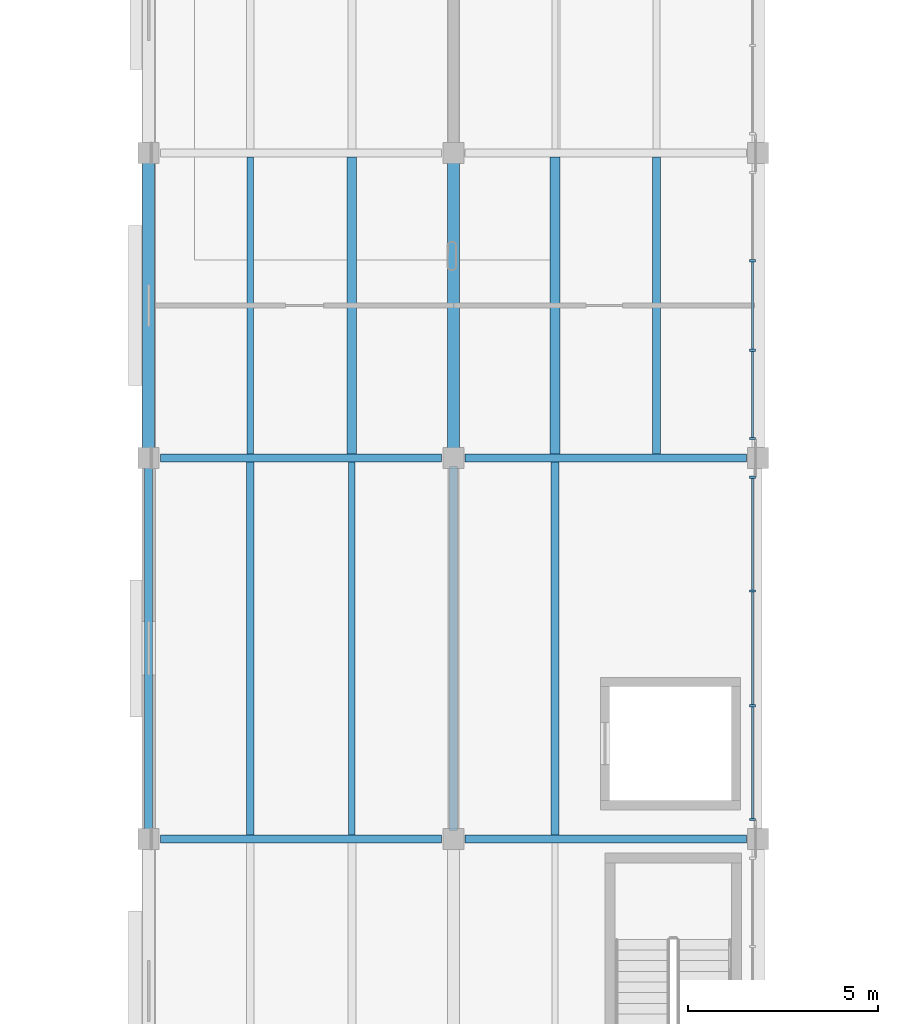
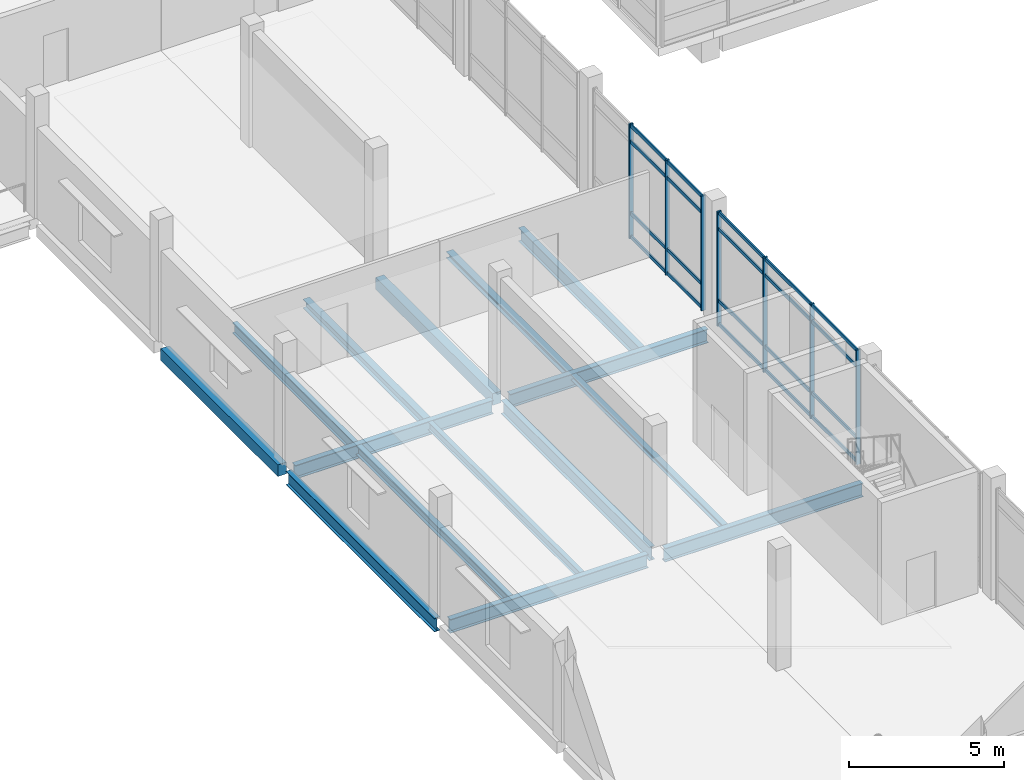
# One storey, part 9 of 47: 27 members, 15 beams, 2 elements without a shape of their own.
"""IFC4 building model written with IfcOpenShell, lengths in metres."""

from ifc_helpers import new_model, si_unit, direction, frame, origin, origin_2d, place, context, subcontext, project, spatial, rectangle, i_section, extrude, material, material_profile, profile_set, type_object, element, aggregate, save


model = new_model("IFC4")

# Units and contexts
model_context = context("Model", 3, precision=1e-05, world=origin(), true_north=direction((0.0, 1.0)))
body_context = subcontext(model_context, "Body", "Model", "MODEL_VIEW")
ifc_project = project(units=[si_unit("LENGTHUNIT", "METRE"), si_unit("AREAUNIT", "SQUARE_METRE"), si_unit("VOLUMEUNIT", "CUBIC_METRE"), si_unit("PLANEANGLEUNIT", "RADIAN"), si_unit("MASSUNIT", "GRAM", prefix="KILO")], contexts=[model_context])

# Site, building, storey
site_placement = place(None, origin())
site = spatial("IfcSite", under=ifc_project, at=site_placement, CompositionType="ELEMENT")
building_placement = place(site_placement, origin())
building = spatial("IfcBuilding", under=site, at=building_placement, Name="Pecanmere Concourse Central Library", CompositionType="ELEMENT")
storey_placement = place(building_placement, frame((0.0, 0.0, 15.300048828125)))
storey = spatial("IfcBuildingStorey", under=building, at=storey_placement, Name="L04", CompositionType="ELEMENT", Elevation=15.300048828125)

# Beams
ifc_material_1 = material(Name="Concrete C40/50", Category="concrete")
ifc_material_profile_1 = material_profile(ifc_material_1, rectangle(XDim=0.320068359375, YDim=0.4599609375, at=origin_2d()), Name="RC 320x460")
ifc_profile_set_1 = profile_set([ifc_material_profile_1], Name="Concrete C40/50")
beam_type_1 = type_object("IfcBeamType", Name="BM_320x460", PredefinedType="BEAM", material=ifc_profile_set_1)
for number, where, z_axis, x_axis, name in (
    (1, (48.0, 74.219970703125, -0.550048828125), (0.0, 1.0, 0.0), (-1.0, 0.0, 0.0), "Primary Girder Y L04-2253"),
    (2, (56.0, 74.219970703125, -0.550048828125), (0.0, 1.0, 0.0), (-1.0, 0.0, 0.0), "Primary Girder Y L04-2260"),
):
    element("IfcBeam", number, at=place(storey_placement, frame(where, z_axis=z_axis, x_axis=x_axis)), inside=storey, type_object=beam_type_1, Name=name, PredefinedType="BEAM", context=body_context, shape_type="SweptSolid", body=[
        extrude(rectangle(XDim=0.320068359375, YDim=0.4599609375, at=origin_2d()), origin(), (0.0, 0.0, 1.0), 7.56005859375),
    ])

# Curtain wall, members
ifc_material_2 = material(Name="Clear anodized aluminium alloy 6063-T6", Category="aluminium")
curtain_wall_type = type_object("IfcCurtainWallType", Name="CW_CLOISTER_GLAZ", PredefinedType="USERDEFINED", material=ifc_material_2)
curtain_wall_1_placement = place(storey_placement, origin())
curtain_wall_1 = element("IfcCurtainWall", 3, at=curtain_wall_1_placement, inside=storey, type_object=curtain_wall_type, Name="Unitised Curtain Wall CW-04 L04-144", ObjectType="UNITISED CURTAIN WALL", PredefinedType="USERDEFINED")
ifc_material_3 = material(Name="Clear anodized aluminium alloy 6063-T6", Category="aluminium")
ifc_material_profile_2 = material_profile(ifc_material_3, rectangle(XDim=0.06005859375, YDim=0.14990234375, at=origin_2d()), Name="AL 60x150")
ifc_profile_set_2 = profile_set([ifc_material_profile_2], Name="Clear anodized aluminium alloy 6063-T6")
member_type_1 = type_object("IfcMemberType", Name="CWM_150x60", PredefinedType="MULLION", material=ifc_profile_set_2)
member_1_placement = place(storey_placement, frame((63.85009765625, 64.510009765625, 0.0), z_axis=(0.0, 0.0, 1.0), x_axis=(0.0, 1.0, 0.0)))
member_1 = element("IfcMember", 4, at=member_1_placement, type_object=member_type_1, Name="CW-04 Mullion 1", PredefinedType="MULLION", context=body_context, shape_type="SweptSolid", body=[
    extrude(rectangle(XDim=0.06005859375, YDim=0.14990234375, at=origin_2d()), origin(), (0.0, 0.0, 1.0), 4.52001953125),
])
member_2_placement = place(storey_placement, frame((63.85009765625, 67.493408203125, 0.0), z_axis=(0.0, 0.0, 1.0), x_axis=(0.0, 1.0, 0.0)))
member_2 = element("IfcMember", 5, at=member_2_placement, type_object=member_type_1, Name="CW-04 Mullion 2", PredefinedType="MULLION", context=body_context, shape_type="SweptSolid", body=[
    extrude(rectangle(XDim=0.06005859375, YDim=0.14990234375, at=origin_2d()), origin(), (0.0, 0.0, 1.0), 4.52001953125),
])
member_3_placement = place(storey_placement, frame((63.85009765625, 70.506591796875, 0.0), z_axis=(0.0, 0.0, 1.0), x_axis=(0.0, 1.0, 0.0)))
member_3 = element("IfcMember", 6, at=member_3_placement, type_object=member_type_1, Name="CW-04 Mullion 3", PredefinedType="MULLION", context=body_context, shape_type="SweptSolid", body=[
    extrude(rectangle(XDim=0.06005859375, YDim=0.14990234375, at=origin_2d()), origin(), (0.0, 0.0, 1.0), 4.52001953125),
])
member_4_placement = place(storey_placement, frame((63.85009765625, 73.489990234375, 0.0), z_axis=(0.0, 0.0, 1.0), x_axis=(0.0, 1.0, 0.0)))
member_4 = element("IfcMember", 7, at=member_4_placement, type_object=member_type_1, Name="CW-04 Mullion 4", PredefinedType="MULLION", context=body_context, shape_type="SweptSolid", body=[
    extrude(rectangle(XDim=0.06005859375, YDim=0.14990234375, at=origin_2d()), origin(), (0.0, 0.0, 1.0), 4.52001953125),
])

curtain_wall_2_placement = place(storey_placement, origin())
curtain_wall_2 = element("IfcCurtainWall", 8, at=curtain_wall_2_placement, inside=storey, type_object=curtain_wall_type, Name="Unitised Curtain Wall CW-04 L04-146", ObjectType="UNITISED CURTAIN WALL", PredefinedType="USERDEFINED")
member_5_placement = place(storey_placement, frame((63.85009765625, 74.510009765625, 0.0), z_axis=(0.0, 0.0, 1.0), x_axis=(0.0, 1.0, 0.0)))
member_5 = element("IfcMember", 9, at=member_5_placement, type_object=member_type_1, Name="CW-04 Mullion 1", PredefinedType="MULLION", context=body_context, shape_type="SweptSolid", body=[
    extrude(rectangle(XDim=0.06005859375, YDim=0.14990234375, at=origin_2d()), origin(), (0.0, 0.0, 1.0), 4.52001953125),
])
member_6_placement = place(storey_placement, frame((63.85009765625, 76.82666015625, 0.0), z_axis=(0.0, 0.0, 1.0), x_axis=(0.0, 1.0, 0.0)))
member_6 = element("IfcMember", 10, at=member_6_placement, type_object=member_type_1, Name="CW-04 Mullion 2", PredefinedType="MULLION", context=body_context, shape_type="SweptSolid", body=[
    extrude(rectangle(XDim=0.06005859375, YDim=0.14990234375, at=origin_2d()), origin(), (0.0, 0.0, 1.0), 4.52001953125),
])
member_7_placement = place(storey_placement, frame((63.85009765625, 79.17333984375, 0.0), z_axis=(0.0, 0.0, 1.0), x_axis=(0.0, 1.0, 0.0)))
member_7 = element("IfcMember", 11, at=member_7_placement, type_object=member_type_1, Name="CW-04 Mullion 3", PredefinedType="MULLION", context=body_context, shape_type="SweptSolid", body=[
    extrude(rectangle(XDim=0.06005859375, YDim=0.14990234375, at=origin_2d()), origin(), (0.0, 0.0, 1.0), 4.52001953125),
])

# Member
ifc_material_4 = material(Name="Clear anodized aluminium alloy 6063-T6", Category="aluminium")
ifc_material_profile_3 = material_profile(ifc_material_4, rectangle(XDim=0.054931640625, YDim=0.139892578125, at=origin_2d()), Name="AL 55x140")
ifc_profile_set_3 = profile_set([ifc_material_profile_3], Name="Clear anodized aluminium alloy 6063-T6")
member_type_2 = type_object("IfcMemberType", Name="CWT_140x55", PredefinedType="USERDEFINED", material=ifc_profile_set_3)
member_8_placement = place(storey_placement, frame((63.85009765625, 64.5400390625, 0.070068359375), z_axis=(0.0, 1.0, 0.0), x_axis=(-1.0, 0.0, 0.0)))
member_8 = element("IfcMember", 12, at=member_8_placement, type_object=member_type_2, Name="CW-04 Transom 1.1", ObjectType="TRANSOM", PredefinedType="USERDEFINED", context=body_context, shape_type="SweptSolid", body=[
    extrude(rectangle(XDim=0.054931640625, YDim=0.139892578125, at=origin_2d()), origin(), (0.0, 0.0, 1.0), 2.92333984375),
])

member_9_placement = place(storey_placement, frame((63.85009765625, 64.5400390625, 1.0), z_axis=(0.0, 1.0, 0.0), x_axis=(-1.0, 0.0, 0.0)))
member_9 = element("IfcMember", 13, at=member_9_placement, type_object=member_type_2, Name="CW-04 Transom 1.2", ObjectType="TRANSOM", PredefinedType="USERDEFINED", context=body_context, shape_type="SweptSolid", body=[
    extrude(rectangle(XDim=0.054931640625, YDim=0.139892578125, at=origin_2d()), origin(), (0.0, 0.0, 1.0), 2.92333984375),
])

member_10_placement = place(storey_placement, frame((63.85009765625, 64.5400390625, 3.820068359375), z_axis=(0.0, 1.0, 0.0), x_axis=(-1.0, 0.0, 0.0)))
member_10 = element("IfcMember", 14, at=member_10_placement, type_object=member_type_2, Name="CW-04 Transom 1.3", ObjectType="TRANSOM", PredefinedType="USERDEFINED", context=body_context, shape_type="SweptSolid", body=[
    extrude(rectangle(XDim=0.054931640625, YDim=0.139892578125, at=origin_2d()), origin(), (0.0, 0.0, 1.0), 2.92333984375),
])

member_11_placement = place(storey_placement, frame((63.85009765625, 64.5400390625, 4.449951171875), z_axis=(0.0, 1.0, 0.0), x_axis=(-1.0, 0.0, 0.0)))
member_11 = element("IfcMember", 15, at=member_11_placement, type_object=member_type_2, Name="CW-04 Transom 1.4", ObjectType="TRANSOM", PredefinedType="USERDEFINED", context=body_context, shape_type="SweptSolid", body=[
    extrude(rectangle(XDim=0.054931640625, YDim=0.139892578125, at=origin_2d()), origin(), (0.0, 0.0, 1.0), 2.92333984375),
])

member_12_placement = place(storey_placement, frame((63.85009765625, 67.5234375, 0.070068359375), z_axis=(0.0, 1.0, 0.0), x_axis=(-1.0, 0.0, 0.0)))
member_12 = element("IfcMember", 16, at=member_12_placement, type_object=member_type_2, Name="CW-04 Transom 2.1", ObjectType="TRANSOM", PredefinedType="USERDEFINED", context=body_context, shape_type="SweptSolid", body=[
    extrude(rectangle(XDim=0.054931640625, YDim=0.139892578125, at=origin_2d()), origin(), (0.0, 0.0, 1.0), 2.953125),
])

member_13_placement = place(storey_placement, frame((63.85009765625, 67.5234375, 1.0), z_axis=(0.0, 1.0, 0.0), x_axis=(-1.0, 0.0, 0.0)))
member_13 = element("IfcMember", 17, at=member_13_placement, type_object=member_type_2, Name="CW-04 Transom 2.2", ObjectType="TRANSOM", PredefinedType="USERDEFINED", context=body_context, shape_type="SweptSolid", body=[
    extrude(rectangle(XDim=0.054931640625, YDim=0.139892578125, at=origin_2d()), origin(), (0.0, 0.0, 1.0), 2.953125),
])

member_14_placement = place(storey_placement, frame((63.85009765625, 67.5234375, 3.820068359375), z_axis=(0.0, 1.0, 0.0), x_axis=(-1.0, 0.0, 0.0)))
member_14 = element("IfcMember", 18, at=member_14_placement, type_object=member_type_2, Name="CW-04 Transom 2.3", ObjectType="TRANSOM", PredefinedType="USERDEFINED", context=body_context, shape_type="SweptSolid", body=[
    extrude(rectangle(XDim=0.054931640625, YDim=0.139892578125, at=origin_2d()), origin(), (0.0, 0.0, 1.0), 2.953125),
])

member_15_placement = place(storey_placement, frame((63.85009765625, 67.5234375, 4.449951171875), z_axis=(0.0, 1.0, 0.0), x_axis=(-1.0, 0.0, 0.0)))
member_15 = element("IfcMember", 19, at=member_15_placement, type_object=member_type_2, Name="CW-04 Transom 2.4", ObjectType="TRANSOM", PredefinedType="USERDEFINED", context=body_context, shape_type="SweptSolid", body=[
    extrude(rectangle(XDim=0.054931640625, YDim=0.139892578125, at=origin_2d()), origin(), (0.0, 0.0, 1.0), 2.953125),
])

member_16_placement = place(storey_placement, frame((63.85009765625, 70.53662109375, 0.070068359375), z_axis=(0.0, 1.0, 0.0), x_axis=(-1.0, 0.0, 0.0)))
member_16 = element("IfcMember", 20, at=member_16_placement, type_object=member_type_2, Name="CW-04 Transom 3.1", ObjectType="TRANSOM", PredefinedType="USERDEFINED", context=body_context, shape_type="SweptSolid", body=[
    extrude(rectangle(XDim=0.054931640625, YDim=0.139892578125, at=origin_2d()), origin(), (0.0, 0.0, 1.0), 2.92333984375),
])

member_17_placement = place(storey_placement, frame((63.85009765625, 70.53662109375, 1.0), z_axis=(0.0, 1.0, 0.0), x_axis=(-1.0, 0.0, 0.0)))
member_17 = element("IfcMember", 21, at=member_17_placement, type_object=member_type_2, Name="CW-04 Transom 3.2", ObjectType="TRANSOM", PredefinedType="USERDEFINED", context=body_context, shape_type="SweptSolid", body=[
    extrude(rectangle(XDim=0.054931640625, YDim=0.139892578125, at=origin_2d()), origin(), (0.0, 0.0, 1.0), 2.92333984375),
])

member_18_placement = place(storey_placement, frame((63.85009765625, 70.53662109375, 3.820068359375), z_axis=(0.0, 1.0, 0.0), x_axis=(-1.0, 0.0, 0.0)))
member_18 = element("IfcMember", 22, at=member_18_placement, type_object=member_type_2, Name="CW-04 Transom 3.3", ObjectType="TRANSOM", PredefinedType="USERDEFINED", context=body_context, shape_type="SweptSolid", body=[
    extrude(rectangle(XDim=0.054931640625, YDim=0.139892578125, at=origin_2d()), origin(), (0.0, 0.0, 1.0), 2.92333984375),
])

member_19_placement = place(storey_placement, frame((63.85009765625, 70.53662109375, 4.449951171875), z_axis=(0.0, 1.0, 0.0), x_axis=(-1.0, 0.0, 0.0)))
member_19 = element("IfcMember", 23, at=member_19_placement, type_object=member_type_2, Name="CW-04 Transom 3.4", ObjectType="TRANSOM", PredefinedType="USERDEFINED", context=body_context, shape_type="SweptSolid", body=[
    extrude(rectangle(XDim=0.054931640625, YDim=0.139892578125, at=origin_2d()), origin(), (0.0, 0.0, 1.0), 2.92333984375),
])

aggregate(curtain_wall_1, [member_1, member_2, member_3, member_4, member_8, member_9, member_10, member_11, member_12, member_13, member_14, member_15, member_16, member_17, member_18, member_19])

member_20_placement = place(storey_placement, frame((63.85009765625, 74.5400390625, 0.070068359375), z_axis=(0.0, 1.0, 0.0), x_axis=(-1.0, 0.0, 0.0)))
member_20 = element("IfcMember", 24, at=member_20_placement, type_object=member_type_2, Name="CW-04 Transom 1.1", ObjectType="TRANSOM", PredefinedType="USERDEFINED", context=body_context, shape_type="SweptSolid", body=[
    extrude(rectangle(XDim=0.054931640625, YDim=0.139892578125, at=origin_2d()), origin(), (0.0, 0.0, 1.0), 2.256591796875),
])

member_21_placement = place(storey_placement, frame((63.85009765625, 74.5400390625, 1.0), z_axis=(0.0, 1.0, 0.0), x_axis=(-1.0, 0.0, 0.0)))
member_21 = element("IfcMember", 25, at=member_21_placement, type_object=member_type_2, Name="CW-04 Transom 1.2", ObjectType="TRANSOM", PredefinedType="USERDEFINED", context=body_context, shape_type="SweptSolid", body=[
    extrude(rectangle(XDim=0.054931640625, YDim=0.139892578125, at=origin_2d()), origin(), (0.0, 0.0, 1.0), 2.256591796875),
])

member_22_placement = place(storey_placement, frame((63.85009765625, 74.5400390625, 3.820068359375), z_axis=(0.0, 1.0, 0.0), x_axis=(-1.0, 0.0, 0.0)))
member_22 = element("IfcMember", 26, at=member_22_placement, type_object=member_type_2, Name="CW-04 Transom 1.3", ObjectType="TRANSOM", PredefinedType="USERDEFINED", context=body_context, shape_type="SweptSolid", body=[
    extrude(rectangle(XDim=0.054931640625, YDim=0.139892578125, at=origin_2d()), origin(), (0.0, 0.0, 1.0), 2.256591796875),
])

member_23_placement = place(storey_placement, frame((63.85009765625, 74.5400390625, 4.449951171875), z_axis=(0.0, 1.0, 0.0), x_axis=(-1.0, 0.0, 0.0)))
member_23 = element("IfcMember", 27, at=member_23_placement, type_object=member_type_2, Name="CW-04 Transom 1.4", ObjectType="TRANSOM", PredefinedType="USERDEFINED", context=body_context, shape_type="SweptSolid", body=[
    extrude(rectangle(XDim=0.054931640625, YDim=0.139892578125, at=origin_2d()), origin(), (0.0, 0.0, 1.0), 2.256591796875),
])

member_24_placement = place(storey_placement, frame((63.85009765625, 76.856689453125, 0.070068359375), z_axis=(0.0, 1.0, 0.0), x_axis=(-1.0, 0.0, 0.0)))
member_24 = element("IfcMember", 28, at=member_24_placement, type_object=member_type_2, Name="CW-04 Transom 2.1", ObjectType="TRANSOM", PredefinedType="USERDEFINED", context=body_context, shape_type="SweptSolid", body=[
    extrude(rectangle(XDim=0.054931640625, YDim=0.139892578125, at=origin_2d()), origin(), (0.0, 0.0, 1.0), 2.28662109375),
])

member_25_placement = place(storey_placement, frame((63.85009765625, 76.856689453125, 1.0), z_axis=(0.0, 1.0, 0.0), x_axis=(-1.0, 0.0, 0.0)))
member_25 = element("IfcMember", 29, at=member_25_placement, type_object=member_type_2, Name="CW-04 Transom 2.2", ObjectType="TRANSOM", PredefinedType="USERDEFINED", context=body_context, shape_type="SweptSolid", body=[
    extrude(rectangle(XDim=0.054931640625, YDim=0.139892578125, at=origin_2d()), origin(), (0.0, 0.0, 1.0), 2.28662109375),
])

member_26_placement = place(storey_placement, frame((63.85009765625, 76.856689453125, 3.820068359375), z_axis=(0.0, 1.0, 0.0), x_axis=(-1.0, 0.0, 0.0)))
member_26 = element("IfcMember", 30, at=member_26_placement, type_object=member_type_2, Name="CW-04 Transom 2.3", ObjectType="TRANSOM", PredefinedType="USERDEFINED", context=body_context, shape_type="SweptSolid", body=[
    extrude(rectangle(XDim=0.054931640625, YDim=0.139892578125, at=origin_2d()), origin(), (0.0, 0.0, 1.0), 2.28662109375),
])

member_27_placement = place(storey_placement, frame((63.85009765625, 76.856689453125, 4.449951171875), z_axis=(0.0, 1.0, 0.0), x_axis=(-1.0, 0.0, 0.0)))
member_27 = element("IfcMember", 31, at=member_27_placement, type_object=member_type_2, Name="CW-04 Transom 2.4", ObjectType="TRANSOM", PredefinedType="USERDEFINED", context=body_context, shape_type="SweptSolid", body=[
    extrude(rectangle(XDim=0.054931640625, YDim=0.139892578125, at=origin_2d()), origin(), (0.0, 0.0, 1.0), 2.28662109375),
])

aggregate(curtain_wall_2, [member_5, member_6, member_7, member_20, member_21, member_22, member_23, member_24, member_25, member_26, member_27])

# Beams
ifc_material_5 = material(Name="Structural steel ASTM A992 Grade 50", Category="steel")
ifc_material_profile_4 = material_profile(ifc_material_5, i_section(OverallWidth=0.2041015625, OverallDepth=0.2060546875, WebThickness=0.0078125, FlangeThickness=0.0126953125, at=origin_2d()), Name="W200x52")
ifc_profile_set_4 = profile_set([ifc_material_profile_4], Name="Structural steel ASTM A992 Grade 50")
beam_type_2 = type_object("IfcBeamType", Name="SBM_W200x52", PredefinedType="JOIST", material=ifc_profile_set_4)
beam_1_placement = place(storey_placement, frame((58.666748046875, 64.10546875, -0.423095703125), z_axis=(0.0, 1.0, 0.0), x_axis=(-1.0, 0.0, 0.0)))
element("IfcBeam", 32, at=beam_1_placement, inside=storey, type_object=beam_type_2, Name="Secondary Floor Joist L04-2373", PredefinedType="JOIST", context=body_context, shape_type="SweptSolid", body=[
    extrude(i_section(OverallWidth=0.2041015625, OverallDepth=0.2060546875, WebThickness=0.0078125, FlangeThickness=0.0126953125, at=origin_2d()), origin(), (0.0, 0.0, 1.0), 9.7890625),
])
ifc_material_6 = material(Name="Structural steel ASTM A992 Grade 50", Category="steel")
ifc_material_profile_5 = material_profile(ifc_material_6, i_section(OverallWidth=0.25390625, OverallDepth=0.2529296875, WebThickness=0.008544921875, FlangeThickness=0.01416015625, at=origin_2d()), Name="W250x73")
ifc_profile_set_5 = profile_set([ifc_material_profile_5], Name="Structural steel ASTM A992 Grade 50")
beam_type_3 = type_object("IfcBeamType", Name="SBM_W250x73", PredefinedType="BEAM", material=ifc_profile_set_5)
beam_2_placement = place(storey_placement, frame((58.666748046875, 74.10546875, -0.446533203125), z_axis=(0.0, 1.0, 0.0), x_axis=(-1.0, 0.0, 0.0)))
element("IfcBeam", 33, at=beam_2_placement, inside=storey, type_object=beam_type_3, Name="Secondary Floor Joist L04-2374", PredefinedType="BEAM", context=body_context, shape_type="SweptSolid", body=[
    extrude(i_section(OverallWidth=0.25390625, OverallDepth=0.2529296875, WebThickness=0.008544921875, FlangeThickness=0.01416015625, at=origin_2d()), origin(), (0.0, 0.0, 1.0), 7.7890625),
])
ifc_material_7 = material(Name="Structural steel ASTM A992 Grade 50", Category="steel")
ifc_material_profile_6 = material_profile(ifc_material_7, i_section(OverallWidth=0.1669921875, OverallDepth=0.31689453125, WebThickness=0.007568359375, FlangeThickness=0.01318359375, at=origin_2d()), Name="W310x52")
ifc_profile_set_6 = profile_set([ifc_material_profile_6], Name="Structural steel ASTM A992 Grade 50")
beam_type_4 = type_object("IfcBeamType", Name="SBM_W310x52", PredefinedType="JOIST", material=ifc_profile_set_6)
beam_3_placement = place(storey_placement, frame((53.333251953125, 64.10546875, -0.478515625), z_axis=(0.0, 1.0, 0.0), x_axis=(-1.0, 0.0, 0.0)))
element("IfcBeam", 34, at=beam_3_placement, inside=storey, type_object=beam_type_4, Name="Secondary Floor Joist L04-2361", PredefinedType="JOIST", context=body_context, shape_type="SweptSolid", body=[
    extrude(i_section(OverallWidth=0.1669921875, OverallDepth=0.31689453125, WebThickness=0.007568359375, FlangeThickness=0.01318359375, at=origin_2d()), origin(), (0.0, 0.0, 1.0), 9.7890625),
])
ifc_material_8 = material(Name="Structural steel ASTM A992 Grade 50", Category="steel")
ifc_material_profile_7 = material_profile(ifc_material_8, i_section(OverallWidth=0.202880859375, OverallDepth=0.346923828125, WebThickness=0.0078125, FlangeThickness=0.013427734375, at=origin_2d()), Name="W360x64")
ifc_profile_set_7 = profile_set([ifc_material_profile_7], Name="Structural steel ASTM A992 Grade 50")
beam_type_5 = type_object("IfcBeamType", Name="SBM_W360x64", PredefinedType="JOIST", material=ifc_profile_set_7)
beam_4_placement = place(storey_placement, frame((50.666748046875, 64.10546875, -0.49365234375), z_axis=(0.0, 1.0, 0.0), x_axis=(-1.0, 0.0, 0.0)))
element("IfcBeam", 35, at=beam_4_placement, inside=storey, type_object=beam_type_5, Name="Secondary Floor Joist L04-2360", PredefinedType="JOIST", context=body_context, shape_type="SweptSolid", body=[
    extrude(i_section(OverallWidth=0.202880859375, OverallDepth=0.346923828125, WebThickness=0.0078125, FlangeThickness=0.013427734375, at=origin_2d()), origin(), (0.0, 0.0, 1.0), 9.7890625),
])
ifc_material_9 = material(Name="Structural steel ASTM A992 Grade 50", Category="steel")
ifc_material_profile_8 = material_profile(ifc_material_9, i_section(OverallWidth=0.25390625, OverallDepth=0.35302734375, WebThickness=0.009521484375, FlangeThickness=0.016357421875, at=origin_2d()), Name="W360x91")
ifc_profile_set_8 = profile_set([ifc_material_profile_8], Name="Structural steel ASTM A992 Grade 50")
beam_type_6 = type_object("IfcBeamType", Name="SBM_W360x91", PredefinedType="BEAM", material=ifc_profile_set_8)
beam_5_placement = place(storey_placement, frame((53.333251953125, 74.10546875, -0.49658203125), z_axis=(0.0, 1.0, 0.0), x_axis=(-1.0, 0.0, 0.0)))
element("IfcBeam", 36, at=beam_5_placement, inside=storey, type_object=beam_type_6, Name="Secondary Floor Joist L04-2363", PredefinedType="BEAM", context=body_context, shape_type="SweptSolid", body=[
    extrude(i_section(OverallWidth=0.25390625, OverallDepth=0.35302734375, WebThickness=0.009521484375, FlangeThickness=0.016357421875, at=origin_2d()), origin(), (0.0, 0.0, 1.0), 7.7890625),
])
ifc_material_10 = material(Name="Structural steel ASTM A992 Grade 50", Category="steel")
ifc_material_profile_9 = material_profile(ifc_material_10, i_section(OverallWidth=0.180908203125, OverallDepth=0.4169921875, WebThickness=0.010986328125, FlangeThickness=0.018310546875, at=origin_2d()), Name="W410x85")
ifc_profile_set_9 = profile_set([ifc_material_profile_9], Name="Structural steel ASTM A992 Grade 50")
beam_type_7 = type_object("IfcBeamType", Name="SBM_W410x85", PredefinedType="BEAM", material=ifc_profile_set_9)
beam_6_placement = place(storey_placement, frame((50.666748046875, 74.10546875, -0.528564453125), z_axis=(0.0, 1.0, 0.0), x_axis=(-1.0, 0.0, 0.0)))
element("IfcBeam", 37, at=beam_6_placement, inside=storey, type_object=beam_type_7, Name="Secondary Floor Joist L04-2362", PredefinedType="BEAM", context=body_context, shape_type="SweptSolid", body=[
    extrude(i_section(OverallWidth=0.180908203125, OverallDepth=0.4169921875, WebThickness=0.010986328125, FlangeThickness=0.018310546875, at=origin_2d()), origin(), (0.0, 0.0, 1.0), 7.7890625),
])
ifc_material_11 = material(Name="Structural steel ASTM A992 Grade 50", Category="steel")
ifc_material_profile_10 = material_profile(ifc_material_11, i_section(OverallWidth=0.2109375, OverallDepth=0.5390625, WebThickness=0.01171875, FlangeThickness=0.018798828125, at=origin_2d()), Name="W530x109")
ifc_profile_set_10 = profile_set([ifc_material_profile_10], Name="Structural steel ASTM A992 Grade 50")
beam_type_8 = type_object("IfcBeamType", Name="SBM_W530x109", PredefinedType="USERDEFINED", material=ifc_profile_set_10)
for number, where, z_axis, x_axis, name in (
    (38, (48.31005859375, 64.0, -0.589599609375), (1.0, 0.0, 0.0), (0.0, 1.0, 0.0), "Primary Girder X L04-2167"),
    (39, (56.31005859375, 64.0, -0.589599609375), (1.0, 0.0, 0.0), (0.0, 1.0, 0.0), "Primary Girder X L04-2168"),
    (40, (48.31005859375, 74.0, -0.589599609375), (1.0, 0.0, 0.0), (0.0, 1.0, 0.0), "Primary Girder X L04-2171"),
    (41, (56.31005859375, 74.0, -0.589599609375), (1.0, 0.0, 0.0), (0.0, 1.0, 0.0), "Primary Girder X L04-2172"),
):
    element("IfcBeam", number, at=place(storey_placement, frame(where, z_axis=z_axis, x_axis=x_axis)), inside=storey, type_object=beam_type_8, Name=name, ObjectType="GIRDER", PredefinedType="USERDEFINED", context=body_context, shape_type="SweptSolid", body=[
        extrude(i_section(OverallWidth=0.2109375, OverallDepth=0.5390625, WebThickness=0.01171875, FlangeThickness=0.018798828125, at=origin_2d()), origin(), (0.0, 0.0, 1.0), 7.3798828125),
    ])
for number, where, z_axis, x_axis, name in (
    (42, (48.0, 64.219970703125, -0.589599609375), (0.0, 1.0, 0.0), (-1.0, 0.0, 0.0), "Primary Girder Y L04-2252"),
    (43, (56.0, 64.219970703125, -0.589599609375), (0.0, 1.0, 0.0), (-1.0, 0.0, 0.0), "Primary Girder Y L04-2259"),
):
    element("IfcBeam", number, at=place(storey_placement, frame(where, z_axis=z_axis, x_axis=x_axis)), inside=storey, type_object=beam_type_8, Name=name, ObjectType="GIRDER", PredefinedType="USERDEFINED", context=body_context, shape_type="SweptSolid", body=[
        extrude(i_section(OverallWidth=0.2109375, OverallDepth=0.5390625, WebThickness=0.01171875, FlangeThickness=0.018798828125, at=origin_2d()), origin(), (0.0, 0.0, 1.0), 9.56005859375),
    ])
ifc_material_12 = material(Name="Structural steel ASTM A992 Grade 50", Category="steel")
ifc_material_profile_11 = material_profile(ifc_material_12, i_section(OverallWidth=0.208984375, OverallDepth=0.532958984375, WebThickness=0.01025390625, FlangeThickness=0.015625, at=origin_2d()), Name="W530x92")
ifc_profile_set_11 = profile_set([ifc_material_profile_11], Name="Structural steel ASTM A992 Grade 50")
beam_type_9 = type_object("IfcBeamType", Name="SBM_W530x92", PredefinedType="BEAM", material=ifc_profile_set_11)
beam_7_placement = place(storey_placement, frame((61.333251953125, 74.10546875, -0.586669921875), z_axis=(0.0, 1.0, 0.0), x_axis=(-1.0, 0.0, 0.0)))
element("IfcBeam", 44, at=beam_7_placement, inside=storey, type_object=beam_type_9, Name="Secondary Floor Joist L04-2375", PredefinedType="BEAM", context=body_context, shape_type="SweptSolid", body=[
    extrude(i_section(OverallWidth=0.208984375, OverallDepth=0.532958984375, WebThickness=0.01025390625, FlangeThickness=0.015625, at=origin_2d()), origin(), (0.0, 0.0, 1.0), 7.7890625),
])

save(model, "model.ifc")
